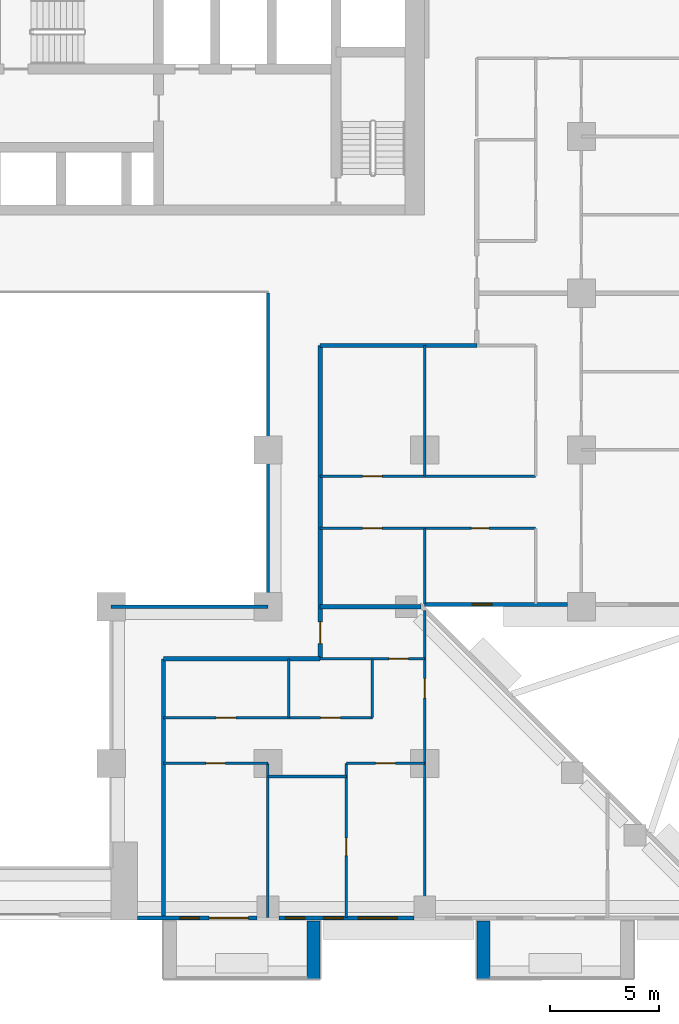
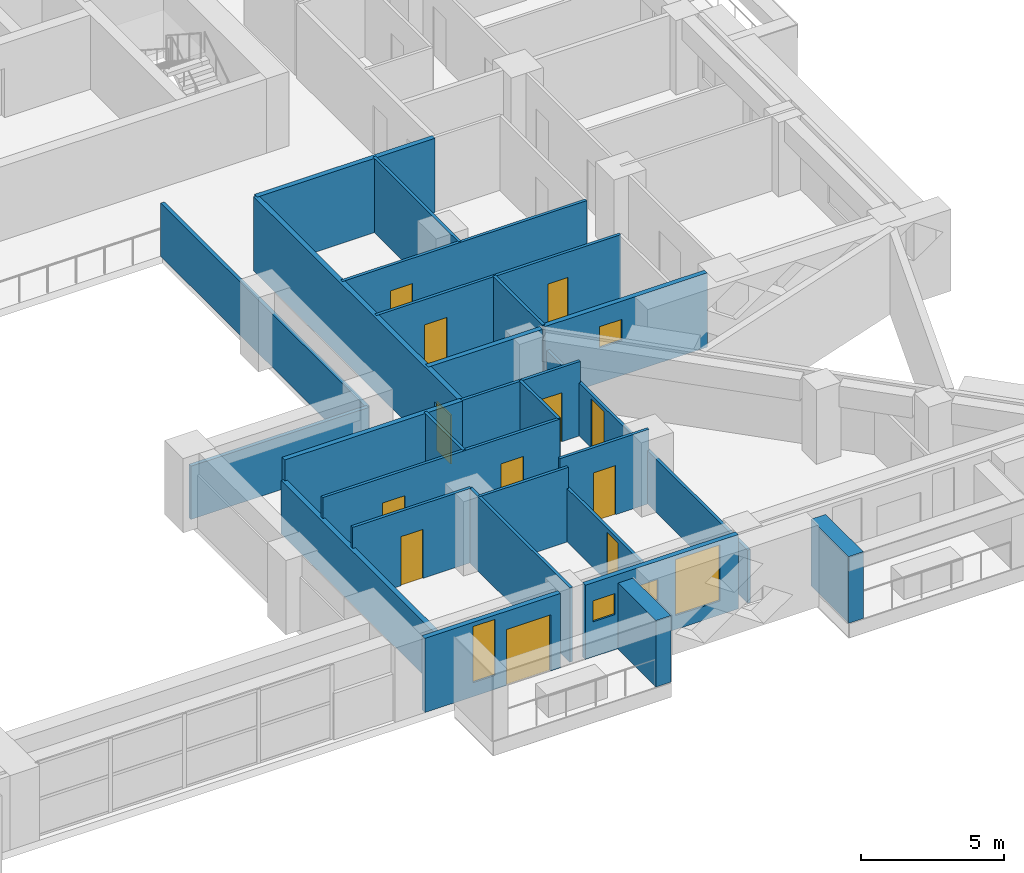
# One storey, part 8 of 17: 26 walls, 12 doors, 5 windows, 17 openings.
"""IFC4 building model written with IfcOpenShell, lengths in metres."""

import ifcopenshell
import ifcopenshell.guid

model = None  # the IFC model being written
_history = None  # IfcOwnerHistory: only IFC2X3 demands one
_inside = {}  # id of a spatial element -> (the spatial element, [elements in it])
_under = {}  # id of a project, library or spatial element -> (it, [spatial elements below it])
_declared = {}  # id of a project -> (the project, [libraries it declares])
_typed = {}  # id of a type object -> (the type object, [elements of that type])
_made_of = {}  # id of a material, layer set ... -> (it, [elements and type objects made of it])


def new_model(schema):
    """Start an empty IFC model of exactly this schema.

    Asked for "IFC4X3", IfcOpenShell would pick the latest addendum, in which some entities
    have other attributes; the version numbers below select the first issue.
    IFC2X3 requires an IfcOwnerHistory on every rooted entity: one is made here for all.
    """
    global model, _history
    if schema == "IFC4X3":
        model = ifcopenshell.file(schema_version=(4, 3, 0, 0))
    else:
        model = ifcopenshell.file(schema=schema)
    _inside.clear()
    _under.clear()
    _declared.clear()
    _typed.clear()
    _made_of.clear()
    _history = None
    if model.schema == "IFC2X3":
        org = make("IfcOrganization", Name="unknown")
        user = make(
            "IfcPersonAndOrganization",
            ThePerson=make("IfcPerson", FamilyName="unknown"),
            TheOrganization=org,
        )
        app = make(
            "IfcApplication",
            ApplicationDeveloper=org,
            Version="unknown",
            ApplicationFullName="unknown",
            ApplicationIdentifier="unknown",
        )
        _history = make(
            "IfcOwnerHistory",
            OwningUser=user,
            OwningApplication=app,
            ChangeAction="ADDED",
            CreationDate=0,
        )
    return model


def make(cls, **values):
    """One entity of the class cls with the attributes given. An attribute that is None is left unset."""
    return model.create_entity(
        cls, **{name: value for name, value in values.items() if value is not None}
    )


def rooted(cls, **values):
    """An entity with a GlobalId (a new one), such as an element, a storey or a relation."""
    return make(cls, GlobalId=ifcopenshell.guid.new(), OwnerHistory=_history, **values)


def si_unit(unit_type, name, prefix=None):
    """IfcSIUnit, for example si_unit("LENGTHUNIT", "METRE", prefix="MILLI")."""
    return make("IfcSIUnit", UnitType=unit_type, Prefix=prefix, Name=name)


def assignment(units):
    """IfcUnitAssignment: the units of a project."""
    return None if units is None else make("IfcUnitAssignment", Units=units)


def point(xyz):
    """IfcCartesianPoint."""
    return None if xyz is None else make("IfcCartesianPoint", Coordinates=xyz)


def direction(xyz):
    """IfcDirection."""
    return None if xyz is None else make("IfcDirection", DirectionRatios=xyz)


def frame(location, z_axis=None, x_axis=None):
    """IfcAxis2Placement3D, a coordinate frame: its origin and axes. An axis left out is left unset."""
    return make(
        "IfcAxis2Placement3D",
        Location=point(location),
        Axis=direction(z_axis),
        RefDirection=direction(x_axis),
    )


def frame_2d(location, x_axis=None):
    """IfcAxis2Placement2D, a coordinate frame in the plane: its origin and x axis."""
    return make(
        "IfcAxis2Placement2D", Location=point(location), RefDirection=direction(x_axis)
    )


def origin():
    """The frame at (0, 0, 0) with its axes left unset."""
    return frame((0.0, 0.0, 0.0))


def place(relative_to, where):
    """IfcLocalPlacement: puts the frame where relative to a parent placement (None: the world)."""
    return make(
        "IfcLocalPlacement", PlacementRelTo=relative_to, RelativePlacement=where
    )


def context(
    kind, dimensions, precision=None, world=None, true_north=None, identifier=None
):
    """IfcGeometricRepresentationContext, for example the 3D "Model" context."""
    return make(
        "IfcGeometricRepresentationContext",
        ContextIdentifier=identifier,
        ContextType=kind,
        CoordinateSpaceDimension=dimensions,
        Precision=precision,
        WorldCoordinateSystem=world,
        TrueNorth=true_north,
    )


def subcontext(parent, identifier, kind, view, scale=None):
    """IfcGeometricRepresentationSubContext, for example "Body" below "Model"."""
    return make(
        "IfcGeometricRepresentationSubContext",
        ContextIdentifier=identifier,
        ContextType=kind,
        ParentContext=parent,
        TargetScale=scale,
        TargetView=view,
    )


def project(units=None, contexts=None):
    """IfcProject with its units and contexts."""
    return rooted(
        "IfcProject",
        Name="project",
        RepresentationContexts=contexts,
        UnitsInContext=assignment(units),
    )


def spatial(cls, under=None, at=None, **own):
    """A site, building, storey or space (cls), placed at a placement, below another one or the project."""
    s = rooted(cls, ObjectPlacement=at, **own)
    if under is not None:
        _under.setdefault(under.id(), (under, []))[1].append(s)
    return s


def profile(cls, at=None, kind="AREA", **sizes):
    """A parametric profile (cls). Its sizes go by their IFC names, for example OverallWidth=200.0."""
    return make(cls, ProfileType=kind, Position=at, **sizes)


def rectangle(**sizes):
    """IfcRectangleProfileDef."""
    return profile("IfcRectangleProfileDef", **sizes)


def extrude(swept, where, along, depth):
    """IfcExtrudedAreaSolid: the profile swept, set in the frame where, extruded along a direction by depth."""
    return make(
        "IfcExtrudedAreaSolid",
        SweptArea=swept,
        Position=where,
        ExtrudedDirection=direction(along),
        Depth=depth,
    )


def shape(context_of_items, identifier, shape_type, items):
    """IfcShapeRepresentation: the items that make up one representation, for example the "Body"."""
    return make(
        "IfcShapeRepresentation",
        ContextOfItems=context_of_items,
        RepresentationIdentifier=identifier,
        RepresentationType=shape_type,
        Items=items,
    )


def material(Name=None, Category=None):
    """IfcMaterial."""
    return make("IfcMaterial", Name=Name, Category=Category)


def layer(
    of_material, thickness, ventilated=None, Name=None, Category=None, Priority=None
):
    """IfcMaterialLayer: one layer of a wall or slab, of a material (None: an air gap)."""
    return make(
        "IfcMaterialLayer",
        Material=of_material,
        LayerThickness=thickness,
        IsVentilated=ventilated,
        Name=Name,
        Category=Category,
        Priority=Priority,
    )


def layer_set(layers, Name=None):
    """IfcMaterialLayerSet."""
    return make("IfcMaterialLayerSet", MaterialLayers=layers, LayerSetName=Name)


def made_of(thing, what):
    """Note that an element or type object is made of a material, layer set ...; save() writes the relation."""
    if what is not None:
        _made_of.setdefault(what.id(), (what, []))[1].append(thing)
    return thing


def type_object(cls, material=None, **own):
    """A type object (cls), such as IfcWallType, which elements share."""
    return made_of(rooted(cls, **own), material)


def element(
    cls,
    number,
    at=None,
    inside=None,
    cuts=None,
    type_object=None,
    material=None,
    context=None,
    identifier="Body",
    shape_type=None,
    held_by="IfcProductDefinitionShape",
    body=None,
    shapes=None,
    **own,
):
    """One element of the class cls, such as IfcWall. Its Tag is "e" and its number.

    at: its placement. inside: the storey or other place that contains it. cuts: it is an
    opening in that element (IfcRelVoidsElement). A single representation is given by context,
    identifier, shape_type and body (its items); several are given by shapes. held_by: the class
    of the entity that holds the representations. save() writes the other relations.
    """
    e = rooted(cls, Tag="e%d" % number, ObjectPlacement=at, **own)
    if body is not None:
        shapes = [shape(context, identifier, shape_type, body)]
    if shapes is not None:
        e.Representation = make(held_by, Representations=shapes)
    if inside is not None:
        _inside.setdefault(inside.id(), (inside, []))[1].append(e)
    if cuts is not None:
        rooted(
            "IfcRelVoidsElement", RelatingBuildingElement=cuts, RelatedOpeningElement=e
        )
    if type_object is not None:
        _typed.setdefault(type_object.id(), (type_object, []))[1].append(e)
    return made_of(e, material)


def fill(opening, filler):
    """IfcRelFillsElement: the door or window that sits in an opening."""
    return rooted(
        "IfcRelFillsElement",
        RelatingOpeningElement=opening,
        RelatedBuildingElement=filler,
    )


def aggregate(whole, parts):
    """IfcRelAggregates: a whole, such as a stair, and the parts it consists of."""
    return rooted("IfcRelAggregates", RelatingObject=whole, RelatedObjects=parts)


def save(model, path):
    """Write the relations noted so far, then the file.

    IfcRelAggregates (storeys below a building ...), IfcRelContainedInSpatialStructure (elements
    in a storey), IfcRelDefinesByType, IfcRelAssociatesMaterial and IfcRelDeclares: one each for
    every whole, place, type object, material and project.
    """
    for whole, parts in _under.values():
        aggregate(whole, parts)
    for where, things in _inside.values():
        rooted(
            "IfcRelContainedInSpatialStructure",
            RelatedElements=things,
            RelatingStructure=where,
        )
    for kind, things in _typed.values():
        rooted("IfcRelDefinesByType", RelatedObjects=things, RelatingType=kind)
    for what, things in _made_of.values():
        rooted("IfcRelAssociatesMaterial", RelatedObjects=things, RelatingMaterial=what)
    for by, libraries in _declared.values():
        rooted("IfcRelDeclares", RelatingContext=by, RelatedDefinitions=libraries)
    model.write(path)


model = new_model("IFC4")

# Units and contexts
model_context = context("Model", 3, precision=1e-05, world=origin(), true_north=direction((0.0, 1.0)))
body_context = subcontext(model_context, "Body", "Model", "MODEL_VIEW")
ifc_project = project(units=[si_unit("LENGTHUNIT", "METRE"), si_unit("AREAUNIT", "SQUARE_METRE"), si_unit("VOLUMEUNIT", "CUBIC_METRE"), si_unit("PLANEANGLEUNIT", "RADIAN"), si_unit("MASSUNIT", "GRAM", prefix="KILO")], contexts=[model_context])

# Site, building, storey
site_placement = place(None, origin())
site = spatial("IfcSite", under=ifc_project, at=site_placement, CompositionType="ELEMENT")
building_placement = place(site_placement, origin())
building = spatial("IfcBuilding", under=site, at=building_placement, Name="Saffron Iwan Residences", CompositionType="ELEMENT")
storey_placement = place(building_placement, frame((0.0, 0.0, 79.5)))
storey = spatial("IfcBuildingStorey", under=building, at=storey_placement, Name="L20", CompositionType="ELEMENT", Elevation=79.5)

# Walls
ifc_material_1 = material(Name="Fire-rated glazing", Category="glass")
ifc_layer_1 = layer(ifc_material_1, 0.14990234375)
ifc_layer_set_1 = layer_set([ifc_layer_1], Name="Fire-rated glazing")
wall_type_1 = type_object("IfcWallType", Name="Atrium glazed screen 150", PredefinedType="SOLIDWALL", material=ifc_layer_set_1)
wall_1_placement = place(storey_placement, frame((57.60009765625, 48.0, 0.0), z_axis=(0.0, 0.0, 1.0), x_axis=(1.0, 0.0, 0.0)))
element("IfcWall", 1, at=wall_1_placement, inside=storey, type_object=wall_type_1, Name="W-L20-SCREEN-h48-57.6", PredefinedType="SOLIDWALL", context=body_context, shape_type="SweptSolid", body=[
    extrude(rectangle(XDim=7.199951171875, YDim=0.14990234375, at=frame_2d((3.60009765625, 0.0))), origin(), (0.0, 0.0, 1.0), 2.280029296875),
])
wall_2_placement = place(storey_placement, frame((64.800048828125, 48.0, 0.0), z_axis=(0.0, 0.0, 1.0), x_axis=(0.0, 1.0, 0.0)))
element("IfcWall", 2, at=wall_2_placement, inside=storey, type_object=wall_type_1, Name="W-L20-SCREEN-v64.8-48", PredefinedType="SOLIDWALL", context=body_context, shape_type="SweptSolid", body=[
    extrude(rectangle(XDim=14.39990234375, YDim=0.14990234375, at=frame_2d((7.199951171875, 0.0))), origin(), (0.0, 0.0, 1.0), 2.280029296875),
])
ifc_material_2 = material(Name="Concrete C50/60 white painted", Category="concrete")
ifc_layer_2 = layer(ifc_material_2, 0.60009765625)
ifc_layer_set_2 = layer_set([ifc_layer_2], Name="Concrete C50/60 white painted")
wall_type_2 = type_object("IfcWallType", Name="BALCONY FIN 600", PredefinedType="SOLIDWALL", material=ifc_layer_set_2)
for number, where, z_axis, x_axis, name in (
    (3, (66.89990234375, 33.550048828125, 0.0), (0.0, 0.0, 1.0), (0.0, -1.0, 0.0), "Balcony fin L20 11-1b"),
    (4, (74.699951171875, 33.550048828125, 0.0), (0.0, 0.0, 1.0), (0.0, -1.0, 0.0), "Balcony fin L20 11-2a"),
):
    element("IfcWall", number, at=place(storey_placement, frame(where, z_axis=z_axis, x_axis=x_axis)), inside=storey, type_object=wall_type_2, Name=name, PredefinedType="SOLIDWALL", context=body_context, shape_type="SweptSolid", body=[
        extrude(rectangle(XDim=2.650146484375, YDim=0.60009765625, at=frame_2d((1.3251953125, 0.0))), origin(), (0.0, 0.0, 1.0), 2.85009765625),
    ])

# Wall, opening, window
ifc_material_3 = material(Name="Concrete C40/50", Category="concrete")
ifc_layer_3 = layer(ifc_material_3, 0.199951171875)
ifc_layer_set_3 = layer_set([ifc_layer_3], Name="Concrete C40/50")
wall_type_3 = type_object("IfcWallType", Name="EXTERNAL WALL 200", PredefinedType="SOLIDWALL", material=ifc_layer_set_3)
wall_3_placement = place(storey_placement, frame((71.988525390625, 48.10009765625, 0.0), z_axis=(0.0, 0.0, 1.0), x_axis=(1.0, 0.0, 0.0)))
wall_3 = element("IfcWall", 5, at=wall_3_placement, inside=storey, type_object=wall_type_3, Name="External wall L20 F1.0", PredefinedType="SOLIDWALL", context=body_context, shape_type="SweptSolid", body=[
    extrude(rectangle(XDim=6.5615234375, YDim=0.199951171875, at=frame_2d((3.28076171875, 0.0))), origin(), (0.0, 0.0, 1.0), 3.179931640625),
])
opening_1_placement = place(wall_3_placement, frame((2.205810546875, 0.0, 1.5)))
opening_1 = element("IfcOpeningElement", 6, at=opening_1_placement, cuts=wall_3, Name="Opening W6", PredefinedType="OPENING", context=body_context, shape_type="SweptSolid", body=[
    extrude(rectangle(XDim=0.89990234375, YDim=0.89990234375, at=frame_2d((0.449951171875, 0.449951171875))), frame((0.0, 0.10986328125, 0.0), z_axis=(0.0, -1.0, 0.0), x_axis=(1.0, 0.0, 0.0)), (0.0, 0.0, 1.0), 0.219970703125),
])
ifc_material_4 = material(Name="Clear glass, laminated double glazed", Category="glass")
window_type_1 = type_object("IfcWindowType", Name="WINDOW 900 x 900 BATH", PartitioningType="SINGLE_PANEL", PredefinedType="WINDOW", material=ifc_material_4)
window_1_placement = place(opening_1_placement, origin())
window_1 = element("IfcWindow", 7, at=window_1_placement, inside=storey, type_object=window_type_1, Name="Window L20 F1.0", OverallHeight=0.89990234375, OverallWidth=0.89990234375, PartitioningType="SINGLE_PANEL", PredefinedType="WINDOW", context=body_context, shape_type="SweptSolid", body=[
    extrude(rectangle(XDim=0.89990234375, YDim=0.89990234375, at=frame_2d((0.449951171875, 0.449951171875))), frame((0.0, 0.030029296875, 0.0), z_axis=(0.0, -1.0, 0.0), x_axis=(1.0, 0.0, 0.0)), (0.0, 0.0, 1.0), 0.06005859375),
])
fill(opening_1, window_1)

# Wall, openings, door, window
wall_4_placement = place(storey_placement, frame((58.800048828125, 33.699951171875, 0.0), z_axis=(0.0, 0.0, 1.0), x_axis=(1.0, 0.0, 0.0)))
wall_4 = element("IfcWall", 8, at=wall_4_placement, inside=storey, type_object=wall_type_3, Name="External wall L20 F11.4", PredefinedType="SOLIDWALL", context=body_context, shape_type="SweptSolid", body=[
    extrude(rectangle(XDim=5.5, YDim=0.199951171875, at=frame_2d((2.75, 0.0))), origin(), (0.0, 0.0, 1.0), 3.179931640625),
])
opening_2_placement = place(wall_4_placement, frame((3.300048828125, 0.0, 0.0)))
opening_2 = element("IfcOpeningElement", 9, at=opening_2_placement, cuts=wall_4, Name="Opening BD1", PredefinedType="OPENING", context=body_context, shape_type="SweptSolid", body=[
    extrude(rectangle(XDim=1.800048828125, YDim=2.39990234375, at=frame_2d((0.89990234375, 1.199951171875))), frame((0.0, 0.10986328125, 0.0), z_axis=(0.0, -1.0, 0.0), x_axis=(1.0, 0.0, 0.0)), (0.0, 0.0, 1.0), 0.219970703125),
])
opening_3_placement = place(wall_4_placement, frame((1.949951171875, 0.0, 0.60009765625)))
opening_3 = element("IfcOpeningElement", 10, at=opening_3_placement, cuts=wall_4, Name="Opening W10", PredefinedType="OPENING", context=body_context, shape_type="SweptSolid", body=[
    extrude(rectangle(XDim=0.89990234375, YDim=2.39990234375, at=frame_2d((0.449951171875, 1.199951171875))), frame((0.0, 0.10986328125, 0.0), z_axis=(0.0, -1.0, 0.0), x_axis=(1.0, 0.0, 0.0)), (0.0, 0.0, 1.0), 0.219970703125),
])
door_type_1 = type_object("IfcDoorType", Name="BALCONY DOOR 1800 x 2400", OperationType="DOUBLE_DOOR_SLIDING", PredefinedType="DOOR", material=ifc_material_4)
door_1_placement = place(opening_2_placement, origin())
door_1 = element("IfcDoor", 11, at=door_1_placement, inside=storey, type_object=door_type_1, Name="Balcony door L20 F11.0", OperationType="DOUBLE_DOOR_SLIDING", OverallHeight=2.39990234375, OverallWidth=1.800048828125, PredefinedType="DOOR", context=body_context, shape_type="SweptSolid", body=[
    extrude(rectangle(XDim=1.800048828125, YDim=2.39990234375, at=frame_2d((0.89990234375, 1.199951171875))), frame((0.0, 0.02490234375, 0.0), z_axis=(0.0, -1.0, 0.0), x_axis=(1.0, 0.0, 0.0)), (0.0, 0.0, 1.0), 0.050048828125),
])
fill(opening_2, door_1)
window_type_2 = type_object("IfcWindowType", Name="WINDOW 900 x 2400", PartitioningType="SINGLE_PANEL", PredefinedType="WINDOW", material=ifc_material_4)
window_2_placement = place(opening_3_placement, origin())
window_2 = element("IfcWindow", 12, at=window_2_placement, inside=storey, type_object=window_type_2, Name="Window L20 F11.1", OverallHeight=2.39990234375, OverallWidth=0.89990234375, PartitioningType="SINGLE_PANEL", PredefinedType="WINDOW", context=body_context, shape_type="SweptSolid", body=[
    extrude(rectangle(XDim=0.89990234375, YDim=2.39990234375, at=frame_2d((0.449951171875, 1.199951171875))), frame((0.0, 0.030029296875, 0.0), z_axis=(0.0, -1.0, 0.0), x_axis=(1.0, 0.0, 0.0)), (0.0, 0.0, 1.0), 0.06005859375),
])
fill(opening_3, window_2)

# Wall, openings, windows
wall_5_placement = place(storey_placement, frame((65.300048828125, 33.699951171875, 0.0), z_axis=(0.0, 0.0, 1.0), x_axis=(1.0, 0.0, 0.0)))
wall_5 = element("IfcWall", 13, at=wall_5_placement, inside=storey, type_object=wall_type_3, Name="External wall L20 F11.5", PredefinedType="SOLIDWALL", context=body_context, shape_type="SweptSolid", body=[
    extrude(rectangle(XDim=6.199951171875, YDim=0.199951171875, at=frame_2d((3.10009765625, 0.0))), origin(), (0.0, 0.0, 1.0), 3.179931640625),
])
opening_4_placement = place(wall_5_placement, frame((3.64990234375, 0.0, 0.60009765625)))
opening_4 = element("IfcOpeningElement", 14, at=opening_4_placement, cuts=wall_5, Name="Opening W8", PredefinedType="OPENING", context=body_context, shape_type="SweptSolid", body=[
    extrude(rectangle(XDim=1.800048828125, YDim=2.39990234375, at=frame_2d((0.89990234375, 1.199951171875))), frame((0.0, 0.10986328125, 0.0), z_axis=(0.0, -1.0, 0.0), x_axis=(1.0, 0.0, 0.0)), (0.0, 0.0, 1.0), 0.219970703125),
])
opening_5_placement = place(wall_5_placement, frame((0.300048828125, 0.0, 1.5)))
opening_5 = element("IfcOpeningElement", 15, at=opening_5_placement, cuts=wall_5, Name="Opening W6", PredefinedType="OPENING", context=body_context, shape_type="SweptSolid", body=[
    extrude(rectangle(XDim=0.89990234375, YDim=0.89990234375, at=frame_2d((0.449951171875, 0.449951171875))), frame((0.0, 0.10986328125, 0.0), z_axis=(0.0, -1.0, 0.0), x_axis=(1.0, 0.0, 0.0)), (0.0, 0.0, 1.0), 0.219970703125),
])
opening_6_placement = place(wall_5_placement, frame((2.050048828125, 0.0, 1.5)))
opening_6 = element("IfcOpeningElement", 16, at=opening_6_placement, cuts=wall_5, Name="Opening W6", PredefinedType="OPENING", context=body_context, shape_type="SweptSolid", body=[
    extrude(rectangle(XDim=0.89990234375, YDim=0.89990234375, at=frame_2d((0.449951171875, 0.449951171875))), frame((0.0, 0.10986328125, 0.0), z_axis=(0.0, -1.0, 0.0), x_axis=(1.0, 0.0, 0.0)), (0.0, 0.0, 1.0), 0.219970703125),
])
window_type_3 = type_object("IfcWindowType", Name="WINDOW 1800 x 2400", PartitioningType="DOUBLE_PANEL_VERTICAL", PredefinedType="WINDOW", material=ifc_material_4)
window_3_placement = place(opening_4_placement, origin())
window_3 = element("IfcWindow", 17, at=window_3_placement, inside=storey, type_object=window_type_3, Name="Window L20 F11.0", OverallHeight=2.39990234375, OverallWidth=1.800048828125, PartitioningType="DOUBLE_PANEL_VERTICAL", PredefinedType="WINDOW", context=body_context, shape_type="SweptSolid", body=[
    extrude(rectangle(XDim=1.800048828125, YDim=2.39990234375, at=frame_2d((0.89990234375, 1.199951171875))), frame((0.0, 0.030029296875, 0.0), z_axis=(0.0, -1.0, 0.0), x_axis=(1.0, 0.0, 0.0)), (0.0, 0.0, 1.0), 0.06005859375),
])
fill(opening_4, window_3)
window_4_placement = place(opening_5_placement, origin())
window_4 = element("IfcWindow", 18, at=window_4_placement, inside=storey, type_object=window_type_1, Name="Window L20 F11.1", OverallHeight=0.89990234375, OverallWidth=0.89990234375, PartitioningType="SINGLE_PANEL", PredefinedType="WINDOW", context=body_context, shape_type="SweptSolid", body=[
    extrude(rectangle(XDim=0.89990234375, YDim=0.89990234375, at=frame_2d((0.449951171875, 0.449951171875))), frame((0.0, 0.030029296875, 0.0), z_axis=(0.0, -1.0, 0.0), x_axis=(1.0, 0.0, 0.0)), (0.0, 0.0, 1.0), 0.06005859375),
])
fill(opening_5, window_4)
window_5_placement = place(opening_6_placement, origin())
window_5 = element("IfcWindow", 19, at=window_5_placement, inside=storey, type_object=window_type_1, Name="Window L20 F11.2", OverallHeight=0.89990234375, OverallWidth=0.89990234375, PartitioningType="SINGLE_PANEL", PredefinedType="WINDOW", context=body_context, shape_type="SweptSolid", body=[
    extrude(rectangle(XDim=0.89990234375, YDim=0.89990234375, at=frame_2d((0.449951171875, 0.449951171875))), frame((0.0, 0.030029296875, 0.0), z_axis=(0.0, -1.0, 0.0), x_axis=(1.0, 0.0, 0.0)), (0.0, 0.0, 1.0), 0.06005859375),
])
fill(opening_6, window_5)

# Walls
ifc_material_5 = material(Name="Fire-rated gypsum board wall")
ifc_layer_4 = layer(ifc_material_5, 0.199951171875)
ifc_layer_set_4 = layer_set([ifc_layer_4], Name="Fire-rated gypsum board wall")
wall_type_4 = type_object("IfcWallType", Name="Flat demising wall 200", PredefinedType="SOLIDWALL", material=ifc_layer_set_4)
wall_6_placement = place(storey_placement, frame((67.199951171875, 48.0, 0.0), z_axis=(0.0, 0.0, 1.0), x_axis=(1.0, 0.0, 0.0)))
element("IfcWall", 20, at=wall_6_placement, inside=storey, type_object=wall_type_4, Name="W-L20-DEMISE-h48-67.2", PredefinedType="SOLIDWALL", context=body_context, shape_type="SweptSolid", body=[
    extrude(rectangle(XDim=4.623046875, YDim=0.199951171875, at=frame_2d((2.3115234375, 0.0))), origin(), (0.0, 0.0, 1.0), 3.179931640625),
])
ifc_material_6 = material(Name="Gypsum board partition")
ifc_layer_5 = layer(ifc_material_6, 0.1201171875)
ifc_layer_set_5 = layer_set([ifc_layer_5], Name="Gypsum board partition")
wall_type_5 = type_object("IfcWallType", Name="Flat partition 120", PredefinedType="PARTITIONING", material=ifc_layer_set_5)
wall_7_placement = place(storey_placement, frame((64.800048828125, 40.199951171875, 0.0), z_axis=(0.0, 0.0, 1.0), x_axis=(1.0, 0.0, 0.0)))
element("IfcWall", 21, at=wall_7_placement, inside=storey, type_object=wall_type_5, Name="W-L20-PART-h40.2-64.8", PredefinedType="PARTITIONING", context=body_context, shape_type="SweptSolid", body=[
    extrude(rectangle(XDim=3.599853515625, YDim=0.1201171875, at=frame_2d((1.7998046875, 0.0))), origin(), (0.0, 0.0, 1.0), 3.179931640625),
])

# Wall, opening, door
wall_8_placement = place(storey_placement, frame((60.0, 40.800048828125, 0.0), z_axis=(0.0, 0.0, 1.0), x_axis=(1.0, 0.0, 0.0)))
wall_8 = element("IfcWall", 22, at=wall_8_placement, inside=storey, type_object=wall_type_5, Name="W-L20-PART-h40.8-60", PredefinedType="PARTITIONING", context=body_context, shape_type="SweptSolid", body=[
    extrude(rectangle(XDim=4.800048828125, YDim=0.1201171875, at=frame_2d((2.39990234375, 0.0))), origin(), (0.0, 0.0, 1.0), 3.179931640625),
])
opening_7_placement = place(wall_8_placement, frame((1.949951171875, 0.0, 0.0)))
opening_7 = element("IfcOpeningElement", 23, at=opening_7_placement, cuts=wall_8, Name="Opening FD2", PredefinedType="OPENING", context=body_context, shape_type="SweptSolid", body=[
    extrude(rectangle(XDim=0.89990234375, YDim=2.10009765625, at=frame_2d((0.449951171875, 1.050048828125))), frame((0.0, 0.070068359375, 0.0), z_axis=(0.0, -1.0, 0.0), x_axis=(1.0, 0.0, 0.0)), (0.0, 0.0, 1.0), 0.14013671875),
])
ifc_material_7 = material(Name="Timber door", Category="wood")
door_type_2 = type_object("IfcDoorType", Name="Flat door 900", OperationType="NOTDEFINED", PredefinedType="DOOR", material=ifc_material_7)
door_2_placement = place(opening_7_placement, origin())
door_2 = element("IfcDoor", 24, at=door_2_placement, inside=storey, type_object=door_type_2, Name="Door L20-047", OperationType="SINGLE_SWING_RIGHT", OverallHeight=2.10009765625, OverallWidth=0.89990234375, PredefinedType="DOOR", context=body_context, shape_type="SweptSolid", body=[
    extrude(rectangle(XDim=0.89990234375, YDim=2.10009765625, at=frame_2d((0.449951171875, 1.050048828125))), frame((0.0, 0.02490234375, 0.0), z_axis=(0.0, -1.0, 0.0), x_axis=(1.0, 0.0, 0.0)), (0.0, 0.0, 1.0), 0.050048828125),
])
fill(opening_7, door_2)

wall_9_placement = place(storey_placement, frame((68.39990234375, 40.800048828125, 0.0), z_axis=(0.0, 0.0, 1.0), x_axis=(1.0, 0.0, 0.0)))
wall_9 = element("IfcWall", 25, at=wall_9_placement, inside=storey, type_object=wall_type_5, Name="W-L20-PART-h40.8-68.4", PredefinedType="PARTITIONING", context=body_context, shape_type="SweptSolid", body=[
    extrude(rectangle(XDim=3.60009765625, YDim=0.1201171875, at=frame_2d((1.800048828125, 0.0))), origin(), (0.0, 0.0, 1.0), 3.179931640625),
])
opening_8_placement = place(wall_9_placement, frame((1.35009765625, 0.0, 0.0)))
opening_8 = element("IfcOpeningElement", 26, at=opening_8_placement, cuts=wall_9, Name="Opening FD2", PredefinedType="OPENING", context=body_context, shape_type="SweptSolid", body=[
    extrude(rectangle(XDim=0.89990234375, YDim=2.10009765625, at=frame_2d((0.449951171875, 1.050048828125))), frame((0.0, 0.070068359375, 0.0), z_axis=(0.0, -1.0, 0.0), x_axis=(1.0, 0.0, 0.0)), (0.0, 0.0, 1.0), 0.14013671875),
])
door_3_placement = place(opening_8_placement, origin())
door_3 = element("IfcDoor", 27, at=door_3_placement, inside=storey, type_object=door_type_2, Name="Door L20-045", OperationType="SINGLE_SWING_LEFT", OverallHeight=2.10009765625, OverallWidth=0.89990234375, PredefinedType="DOOR", context=body_context, shape_type="SweptSolid", body=[
    extrude(rectangle(XDim=0.89990234375, YDim=2.10009765625, at=frame_2d((0.449951171875, 1.050048828125))), frame((0.0, 0.02490234375, 0.0), z_axis=(0.0, -1.0, 0.0), x_axis=(1.0, 0.0, 0.0)), (0.0, 0.0, 1.0), 0.050048828125),
])
fill(opening_8, door_3)

# Wall, openings, doors
wall_10_placement = place(storey_placement, frame((60.0, 42.89990234375, 0.0), z_axis=(0.0, 0.0, 1.0), x_axis=(1.0, 0.0, 0.0)))
wall_10 = element("IfcWall", 28, at=wall_10_placement, inside=storey, type_object=wall_type_5, Name="W-L20-PART-h42.9-60", PredefinedType="PARTITIONING", context=body_context, shape_type="SweptSolid", body=[
    extrude(rectangle(XDim=9.60009765625, YDim=0.1201171875, at=frame_2d((4.800048828125, 0.0))), origin(), (0.0, 0.0, 1.0), 3.179931640625),
])
opening_9_placement = place(wall_10_placement, frame((7.22509765625, 0.0, 0.0)))
opening_9 = element("IfcOpeningElement", 29, at=opening_9_placement, cuts=wall_10, Name="Opening FD2", PredefinedType="OPENING", context=body_context, shape_type="SweptSolid", body=[
    extrude(rectangle(XDim=0.89990234375, YDim=2.10009765625, at=frame_2d((0.449951171875, 1.050048828125))), frame((0.0, 0.070068359375, 0.0), z_axis=(0.0, -1.0, 0.0), x_axis=(1.0, 0.0, 0.0)), (0.0, 0.0, 1.0), 0.14013671875),
])
opening_10_placement = place(wall_10_placement, frame((2.425048828125, 0.0, 0.0)))
opening_10 = element("IfcOpeningElement", 30, at=opening_10_placement, cuts=wall_10, Name="Opening FD2", PredefinedType="OPENING", context=body_context, shape_type="SweptSolid", body=[
    extrude(rectangle(XDim=0.89990234375, YDim=2.10009765625, at=frame_2d((0.449951171875, 1.050048828125))), frame((0.0, 0.070068359375, 0.0), z_axis=(0.0, -1.0, 0.0), x_axis=(1.0, 0.0, 0.0)), (0.0, 0.0, 1.0), 0.14013671875),
])
door_4_placement = place(opening_9_placement, origin())
door_4 = element("IfcDoor", 31, at=door_4_placement, inside=storey, type_object=door_type_2, Name="Door L20-048", OperationType="SINGLE_SWING_LEFT", OverallHeight=2.10009765625, OverallWidth=0.89990234375, PredefinedType="DOOR", context=body_context, shape_type="SweptSolid", body=[
    extrude(rectangle(XDim=0.89990234375, YDim=2.10009765625, at=frame_2d((0.449951171875, 1.050048828125))), frame((0.0, 0.02490234375, 0.0), z_axis=(0.0, -1.0, 0.0), x_axis=(1.0, 0.0, 0.0)), (0.0, 0.0, 1.0), 0.050048828125),
])
fill(opening_9, door_4)
door_5_placement = place(opening_10_placement, origin())
door_5 = element("IfcDoor", 32, at=door_5_placement, inside=storey, type_object=door_type_2, Name="Door L20-049", OperationType="SINGLE_SWING_LEFT", OverallHeight=2.10009765625, OverallWidth=0.89990234375, PredefinedType="DOOR", context=body_context, shape_type="SweptSolid", body=[
    extrude(rectangle(XDim=0.89990234375, YDim=2.10009765625, at=frame_2d((0.449951171875, 1.050048828125))), frame((0.0, 0.02490234375, 0.0), z_axis=(0.0, -1.0, 0.0), x_axis=(1.0, 0.0, 0.0)), (0.0, 0.0, 1.0), 0.050048828125),
])
fill(opening_10, door_5)

# Wall, opening, door
wall_11_placement = place(storey_placement, frame((67.199951171875, 45.60009765625, 0.0), z_axis=(0.0, 0.0, 1.0), x_axis=(1.0, 0.0, 0.0)))
wall_11 = element("IfcWall", 33, at=wall_11_placement, inside=storey, type_object=wall_type_5, Name="W-L20-PART-h45.6-67.2", PredefinedType="PARTITIONING", context=body_context, shape_type="SweptSolid", body=[
    extrude(rectangle(XDim=4.800048828125, YDim=0.1201171875, at=frame_2d((2.39990234375, 0.0))), origin(), (0.0, 0.0, 1.0), 3.179931640625),
])
opening_11_placement = place(wall_11_placement, frame((3.14990234375, 0.0, 0.0)))
opening_11 = element("IfcOpeningElement", 34, at=opening_11_placement, cuts=wall_11, Name="Opening FD2", PredefinedType="OPENING", context=body_context, shape_type="SweptSolid", body=[
    extrude(rectangle(XDim=0.89990234375, YDim=2.10009765625, at=frame_2d((0.449951171875, 1.050048828125))), frame((0.0, 0.070068359375, 0.0), z_axis=(0.0, -1.0, 0.0), x_axis=(1.0, 0.0, 0.0)), (0.0, 0.0, 1.0), 0.14013671875),
])
door_6_placement = place(opening_11_placement, origin())
door_6 = element("IfcDoor", 35, at=door_6_placement, inside=storey, type_object=door_type_2, Name="Door L20-043", OperationType="SINGLE_SWING_LEFT", OverallHeight=2.10009765625, OverallWidth=0.89990234375, PredefinedType="DOOR", context=body_context, shape_type="SweptSolid", body=[
    extrude(rectangle(XDim=0.89990234375, YDim=2.10009765625, at=frame_2d((0.449951171875, 1.050048828125))), frame((0.0, 0.02490234375, 0.0), z_axis=(0.0, -1.0, 0.0), x_axis=(1.0, 0.0, 0.0)), (0.0, 0.0, 1.0), 0.050048828125),
])
fill(opening_11, door_6)

# Wall, openings, doors
wall_12_placement = place(storey_placement, frame((67.199951171875, 51.60009765625, 0.0), z_axis=(0.0, 0.0, 1.0), x_axis=(1.0, 0.0, 0.0)))
wall_12 = element("IfcWall", 36, at=wall_12_placement, inside=storey, type_object=wall_type_5, Name="W-L20-PART-h51.6-67.2", PredefinedType="PARTITIONING", context=body_context, shape_type="SweptSolid", body=[
    extrude(rectangle(XDim=9.900146484375, YDim=0.1201171875, at=frame_2d((4.9501953125, 0.0))), origin(), (0.0, 0.0, 1.0), 3.179931640625),
])
opening_12_placement = place(wall_12_placement, frame((6.949951171875, 0.0, 0.0)))
opening_12 = element("IfcOpeningElement", 37, at=opening_12_placement, cuts=wall_12, Name="Opening FD3", PredefinedType="OPENING", context=body_context, shape_type="SweptSolid", body=[
    extrude(rectangle(XDim=0.800048828125, YDim=2.10009765625, at=frame_2d((0.39990234375, 1.050048828125))), frame((0.0, 0.070068359375, 0.0), z_axis=(0.0, -1.0, 0.0), x_axis=(1.0, 0.0, 0.0)), (0.0, 0.0, 1.0), 0.14013671875),
])
opening_13_placement = place(wall_12_placement, frame((1.949951171875, 0.0, 0.0)))
opening_13 = element("IfcOpeningElement", 38, at=opening_13_placement, cuts=wall_12, Name="Opening FD2", PredefinedType="OPENING", context=body_context, shape_type="SweptSolid", body=[
    extrude(rectangle(XDim=0.89990234375, YDim=2.10009765625, at=frame_2d((0.449951171875, 1.050048828125))), frame((0.0, 0.070068359375, 0.0), z_axis=(0.0, -1.0, 0.0), x_axis=(1.0, 0.0, 0.0)), (0.0, 0.0, 1.0), 0.14013671875),
])
door_type_3 = type_object("IfcDoorType", Name="Bathroom door 800", OperationType="NOTDEFINED", PredefinedType="DOOR", material=ifc_material_7)
door_7_placement = place(opening_12_placement, origin())
door_7 = element("IfcDoor", 39, at=door_7_placement, inside=storey, type_object=door_type_3, Name="Door L20-025", OperationType="SINGLE_SWING_LEFT", OverallHeight=2.10009765625, OverallWidth=0.800048828125, PredefinedType="DOOR", context=body_context, shape_type="SweptSolid", body=[
    extrude(rectangle(XDim=0.800048828125, YDim=2.10009765625, at=frame_2d((0.39990234375, 1.050048828125))), frame((0.0, 0.02490234375, 0.0), z_axis=(0.0, -1.0, 0.0), x_axis=(1.0, 0.0, 0.0)), (0.0, 0.0, 1.0), 0.050048828125),
])
fill(opening_12, door_7)
door_8_placement = place(opening_13_placement, origin())
door_8 = element("IfcDoor", 40, at=door_8_placement, inside=storey, type_object=door_type_2, Name="Door L20-027", OperationType="SINGLE_SWING_LEFT", OverallHeight=2.10009765625, OverallWidth=0.89990234375, PredefinedType="DOOR", context=body_context, shape_type="SweptSolid", body=[
    extrude(rectangle(XDim=0.89990234375, YDim=2.10009765625, at=frame_2d((0.449951171875, 1.050048828125))), frame((0.0, 0.02490234375, 0.0), z_axis=(0.0, -1.0, 0.0), x_axis=(1.0, 0.0, 0.0)), (0.0, 0.0, 1.0), 0.050048828125),
])
fill(opening_13, door_8)

# Wall, opening, door
wall_13_placement = place(storey_placement, frame((67.199951171875, 54.0, 0.0), z_axis=(0.0, 0.0, 1.0), x_axis=(1.0, 0.0, 0.0)))
wall_13 = element("IfcWall", 41, at=wall_13_placement, inside=storey, type_object=wall_type_5, Name="W-L20-PART-h54-67.2", PredefinedType="PARTITIONING", context=body_context, shape_type="SweptSolid", body=[
    extrude(rectangle(XDim=9.900146484375, YDim=0.1201171875, at=frame_2d((4.9501953125, 0.0))), origin(), (0.0, 0.0, 1.0), 3.179931640625),
])
opening_14_placement = place(wall_13_placement, frame((1.949951171875, 0.0, 0.0)))
opening_14 = element("IfcOpeningElement", 42, at=opening_14_placement, cuts=wall_13, Name="Opening FD2", PredefinedType="OPENING", context=body_context, shape_type="SweptSolid", body=[
    extrude(rectangle(XDim=0.89990234375, YDim=2.10009765625, at=frame_2d((0.449951171875, 1.050048828125))), frame((0.0, 0.070068359375, 0.0), z_axis=(0.0, -1.0, 0.0), x_axis=(1.0, 0.0, 0.0)), (0.0, 0.0, 1.0), 0.14013671875),
])
door_9_placement = place(opening_14_placement, origin())
door_9 = element("IfcDoor", 43, at=door_9_placement, inside=storey, type_object=door_type_2, Name="Door L20-028", OperationType="SINGLE_SWING_LEFT", OverallHeight=2.10009765625, OverallWidth=0.89990234375, PredefinedType="DOOR", context=body_context, shape_type="SweptSolid", body=[
    extrude(rectangle(XDim=0.89990234375, YDim=2.10009765625, at=frame_2d((0.449951171875, 1.050048828125))), frame((0.0, 0.02490234375, 0.0), z_axis=(0.0, -1.0, 0.0), x_axis=(1.0, 0.0, 0.0)), (0.0, 0.0, 1.0), 0.050048828125),
])
fill(opening_14, door_9)

# Walls
wall_14_placement = place(storey_placement, frame((64.800048828125, 33.72509765625, 0.0), z_axis=(0.0, 0.0, 1.0), x_axis=(0.0, 1.0, 0.0)))
element("IfcWall", 44, at=wall_14_placement, inside=storey, type_object=wall_type_5, Name="W-L20-PART-v64.8-33.725", PredefinedType="PARTITIONING", context=body_context, shape_type="SweptSolid", body=[
    extrude(rectangle(XDim=7.074951171875, YDim=0.1201171875, at=frame_2d((3.53759765625, 0.0))), origin(), (0.0, 0.0, 1.0), 3.179931640625),
])
wall_15_placement = place(storey_placement, frame((65.75, 42.89990234375, 0.0), z_axis=(0.0, 0.0, 1.0), x_axis=(0.0, 1.0, 0.0)))
element("IfcWall", 45, at=wall_15_placement, inside=storey, type_object=wall_type_5, Name="W-L20-PART-v65.75-42.9", PredefinedType="PARTITIONING", context=body_context, shape_type="SweptSolid", body=[
    extrude(rectangle(XDim=2.7001953125, YDim=0.1201171875, at=frame_2d((1.35009765625, 0.0))), origin(), (0.0, 0.0, 1.0), 3.179931640625),
])

# Wall, opening, door
wall_16_placement = place(storey_placement, frame((68.39990234375, 33.72509765625, 0.0), z_axis=(0.0, 0.0, 1.0), x_axis=(0.0, 1.0, 0.0)))
wall_16 = element("IfcWall", 46, at=wall_16_placement, inside=storey, type_object=wall_type_5, Name="W-L20-PART-v68.4-33.725", PredefinedType="PARTITIONING", context=body_context, shape_type="SweptSolid", body=[
    extrude(rectangle(XDim=7.074951171875, YDim=0.1201171875, at=frame_2d((3.53759765625, 0.0))), origin(), (0.0, 0.0, 1.0), 2.280029296875),
])
opening_15_placement = place(wall_16_placement, frame((2.83740234375, 0.0, 0.0)))
opening_15 = element("IfcOpeningElement", 47, at=opening_15_placement, cuts=wall_16, Name="Opening FD3", PredefinedType="OPENING", context=body_context, shape_type="SweptSolid", body=[
    extrude(rectangle(XDim=0.800048828125, YDim=2.10009765625, at=frame_2d((0.39990234375, 1.050048828125))), frame((0.0, 0.070068359375, 0.0), z_axis=(0.0, -1.0, 0.0), x_axis=(1.0, 0.0, 0.0)), (0.0, 0.0, 1.0), 0.14013671875),
])
door_10_placement = place(opening_15_placement, origin())
door_10 = element("IfcDoor", 48, at=door_10_placement, inside=storey, type_object=door_type_3, Name="Door L20-046", OperationType="SINGLE_SWING_LEFT", OverallHeight=2.10009765625, OverallWidth=0.800048828125, PredefinedType="DOOR", context=body_context, shape_type="SweptSolid", body=[
    extrude(rectangle(XDim=0.800048828125, YDim=2.10009765625, at=frame_2d((0.39990234375, 1.050048828125))), frame((0.0, 0.02490234375, 0.0), z_axis=(0.0, -1.0, 0.0), x_axis=(1.0, 0.0, 0.0)), (0.0, 0.0, 1.0), 0.050048828125),
])
fill(opening_15, door_10)

# Wall
wall_17_placement = place(storey_placement, frame((69.60009765625, 42.89990234375, 0.0), z_axis=(0.0, 0.0, 1.0), x_axis=(0.0, 1.0, 0.0)))
element("IfcWall", 49, at=wall_17_placement, inside=storey, type_object=wall_type_5, Name="W-L20-PART-v69.6-42.9", PredefinedType="PARTITIONING", context=body_context, shape_type="SweptSolid", body=[
    extrude(rectangle(XDim=2.7001953125, YDim=0.1201171875, at=frame_2d((1.35009765625, 0.0))), origin(), (0.0, 0.0, 1.0), 3.179931640625),
])

# Wall, opening, door
wall_18_placement = place(storey_placement, frame((72.0, 33.72509765625, 0.0), z_axis=(0.0, 0.0, 1.0), x_axis=(0.0, 1.0, 0.0)))
wall_18 = element("IfcWall", 50, at=wall_18_placement, inside=storey, type_object=wall_type_5, Name="W-L20-PART-v72-33.725", PredefinedType="PARTITIONING", context=body_context, shape_type="SweptSolid", body=[
    extrude(rectangle(XDim=14.097900390625, YDim=0.1201171875, at=frame_2d((7.048828125, 0.0))), origin(), (0.0, 0.0, 1.0), 2.280029296875),
])
opening_16_placement = place(wall_18_placement, frame((10.074951171875, 0.0, 0.0)))
opening_16 = element("IfcOpeningElement", 51, at=opening_16_placement, cuts=wall_18, Name="Opening FD2", PredefinedType="OPENING", context=body_context, shape_type="SweptSolid", body=[
    extrude(rectangle(XDim=0.89990234375, YDim=2.10009765625, at=frame_2d((0.449951171875, 1.050048828125))), frame((0.0, 0.070068359375, 0.0), z_axis=(0.0, -1.0, 0.0), x_axis=(1.0, 0.0, 0.0)), (0.0, 0.0, 1.0), 0.14013671875),
])
door_11_placement = place(opening_16_placement, origin())
door_11 = element("IfcDoor", 52, at=door_11_placement, inside=storey, type_object=door_type_2, Name="Door L20-050", OperationType="SINGLE_SWING_RIGHT", OverallHeight=2.10009765625, OverallWidth=0.89990234375, PredefinedType="DOOR", context=body_context, shape_type="SweptSolid", body=[
    extrude(rectangle(XDim=0.89990234375, YDim=2.10009765625, at=frame_2d((0.449951171875, 1.050048828125))), frame((0.0, 0.02490234375, 0.0), z_axis=(0.0, -1.0, 0.0), x_axis=(1.0, 0.0, 0.0)), (0.0, 0.0, 1.0), 0.050048828125),
])
fill(opening_16, door_11)

# Walls
wall_19_placement = place(storey_placement, frame((72.0, 48.125, 0.0), z_axis=(0.0, 0.0, 1.0), x_axis=(0.0, 1.0, 0.0)))
element("IfcWall", 53, at=wall_19_placement, inside=storey, type_object=wall_type_5, Name="W-L20-PART-v72-48.125", PredefinedType="PARTITIONING", context=body_context, shape_type="SweptSolid", body=[
    extrude(rectangle(XDim=3.47509765625, YDim=0.1201171875, at=frame_2d((1.737548828125, 0.0))), origin(), (0.0, 0.0, 1.0), 3.179931640625),
])
wall_20_placement = place(storey_placement, frame((72.0, 54.0, 0.0), z_axis=(0.0, 0.0, 1.0), x_axis=(0.0, 1.0, 0.0)))
element("IfcWall", 54, at=wall_20_placement, inside=storey, type_object=wall_type_5, Name="W-L20-PART-v72-54", PredefinedType="PARTITIONING", context=body_context, shape_type="SweptSolid", body=[
    extrude(rectangle(XDim=6.0, YDim=0.1201171875, at=frame_2d((3.0, 0.0))), origin(), (0.0, 0.0, 1.0), 3.179931640625),
])
ifc_layer_6 = layer(ifc_material_5, 0.199951171875)
ifc_layer_set_6 = layer_set([ifc_layer_6], Name="Fire-rated gypsum board wall")
wall_type_6 = type_object("IfcWallType", Name="Gallery wall 200", PredefinedType="SOLIDWALL", material=ifc_layer_set_6)
for number, where, z_axis, x_axis, name in (
    (55, (60.0, 45.60009765625, 0.0), (0.0, 0.0, 1.0), (1.0, 0.0, 0.0), "W-L20-CORR-h45.6-60"),
    (56, (67.199951171875, 60.0, 0.0), (0.0, 0.0, 1.0), (1.0, 0.0, 0.0), "W-L20-CORR-h60-67.2"),
):
    element("IfcWall", number, at=place(storey_placement, frame(where, z_axis=z_axis, x_axis=x_axis)), inside=storey, type_object=wall_type_6, Name=name, PredefinedType="SOLIDWALL", context=body_context, shape_type="SweptSolid", body=[
        extrude(rectangle(XDim=7.199951171875, YDim=0.199951171875, at=frame_2d((3.60009765625, 0.0))), origin(), (0.0, 0.0, 1.0), 3.179931640625),
    ])
wall_21_placement = place(storey_placement, frame((60.0, 33.72509765625, 0.0), z_axis=(0.0, 0.0, 1.0), x_axis=(0.0, 1.0, 0.0)))
element("IfcWall", 57, at=wall_21_placement, inside=storey, type_object=wall_type_6, Name="W-L20-CORR-v60-33.725", PredefinedType="SOLIDWALL", context=body_context, shape_type="SweptSolid", body=[
    extrude(rectangle(XDim=11.875, YDim=0.199951171875, at=frame_2d((5.9375, 0.0))), origin(), (0.0, 0.0, 1.0), 2.280029296875),
])

# Wall, opening, door
wall_22_placement = place(storey_placement, frame((67.199951171875, 45.60009765625, 0.0), z_axis=(0.0, 0.0, 1.0), x_axis=(0.0, 1.0, 0.0)))
wall_22 = element("IfcWall", 58, at=wall_22_placement, inside=storey, type_object=wall_type_6, Name="W-L20-CORR-v67.2-45.6", PredefinedType="SOLIDWALL", context=body_context, shape_type="SweptSolid", body=[
    extrude(rectangle(XDim=14.39990234375, YDim=0.199951171875, at=frame_2d((7.199951171875, 0.0))), origin(), (0.0, 0.0, 1.0), 3.179931640625),
])
opening_17_placement = place(wall_22_placement, frame((0.699951171875, 0.0, 0.0)))
opening_17 = element("IfcOpeningElement", 59, at=opening_17_placement, cuts=wall_22, Name="Opening FD5", PredefinedType="OPENING", context=body_context, shape_type="SweptSolid", body=[
    extrude(rectangle(XDim=1.0, YDim=2.10009765625, at=frame_2d((0.5, 1.050048828125))), frame((0.0, 0.10986328125, 0.0), z_axis=(0.0, -1.0, 0.0), x_axis=(1.0, 0.0, 0.0)), (0.0, 0.0, 1.0), 0.219970703125),
])
ifc_material_8 = material(Name="Fire-rated timber door", Category="wood")
door_type_4 = type_object("IfcDoorType", Name="Lobby door 1000", OperationType="NOTDEFINED", PredefinedType="DOOR", material=ifc_material_8)
door_12_placement = place(opening_17_placement, origin())
door_12 = element("IfcDoor", 60, at=door_12_placement, inside=storey, type_object=door_type_4, Name="Door L20-044", OperationType="SINGLE_SWING_RIGHT", OverallHeight=2.10009765625, OverallWidth=1.0, PredefinedType="DOOR", context=body_context, shape_type="SweptSolid", body=[
    extrude(rectangle(XDim=1.0, YDim=2.10009765625, at=frame_2d((0.5, 1.050048828125))), frame((0.0, 0.02490234375, 0.0), z_axis=(0.0, -1.0, 0.0), x_axis=(1.0, 0.0, 0.0)), (0.0, 0.0, 1.0), 0.050048828125),
])
fill(opening_17, door_12)

save(model, "model.ifc")
